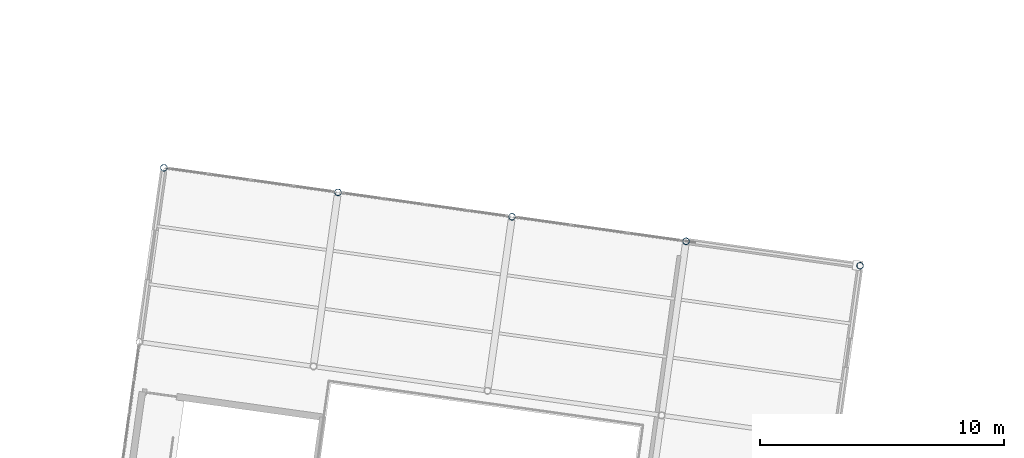
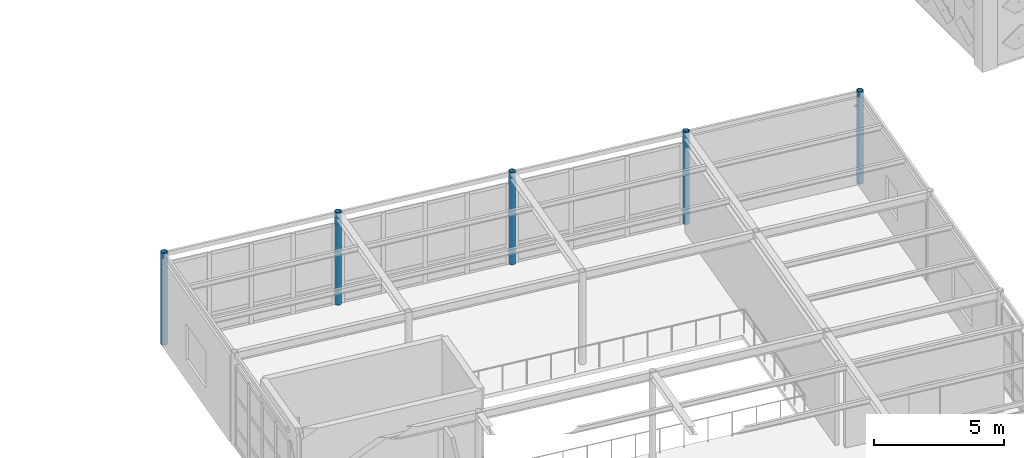
# One storey, part 4 of 67: 5 columns.
"""IFC4 building model written with IfcOpenShell, lengths in metres."""

from ifc_helpers import new_model, si_unit, direction, frame, origin, origin_2d, place, context, subcontext, project, spatial, hollow_circle, extrude, material, material_profile, profile_set, type_object, element, save


model = new_model("IFC4")

# Units and contexts
model_context = context("Model", 3, precision=1e-05, world=origin(), true_north=direction((0.0, 1.0)))
body_context = subcontext(model_context, "Body", "Model", "MODEL_VIEW")
ifc_project = project(units=[si_unit("LENGTHUNIT", "METRE"), si_unit("AREAUNIT", "SQUARE_METRE"), si_unit("VOLUMEUNIT", "CUBIC_METRE"), si_unit("PLANEANGLEUNIT", "RADIAN"), si_unit("MASSUNIT", "GRAM", prefix="KILO")], contexts=[model_context])

# Site, building, storey
site_placement = place(None, origin())
site = spatial("IfcSite", under=ifc_project, at=site_placement, CompositionType="ELEMENT")
building_placement = place(site_placement, origin())
building = spatial("IfcBuilding", under=site, at=building_placement, Name="Kharisveld Research Institute", CompositionType="ELEMENT")
storey_placement = place(building_placement, frame((0.0, 0.0, 9.60009765625)))
storey = spatial("IfcBuildingStorey", under=building, at=storey_placement, Name="L02", CompositionType="ELEMENT", Elevation=9.60009765625)

# Columns
ifc_material = material(Name="Steel S355J2H", Category="steel")
ifc_material_profile = material_profile(ifc_material, hollow_circle(Radius=0.136474609375, WallThickness=0.010009765625, at=origin_2d()))
ifc_profile_set = profile_set([ifc_material_profile], Name="Steel S355J2H")
column_type = type_object("IfcColumnType", Name="COL_ST_CHS273", PredefinedType="COLUMN", material=ifc_profile_set)
for number, where, z_axis, x_axis, name in (
    (1, (78.006103515625, 38.889892578125, 0.0), (0.0, 0.0, 1.0), (0.990268068742, -0.13917310096, 0.0), "COL:V4:L02:U0V3"),
    (2, (85.135986328125, 37.8876953125, 0.0), (0.0, 0.0, 1.0), (0.990268068742, -0.13917310096, 0.0), "COL:V4:L02:U1V3"),
    (3, (92.26611328125, 36.8857421875, 0.0), (0.0, 0.0, 1.0), (0.990268068742, -0.13917310096, 0.0), "COL:V4:L02:U2V3"),
    (4, (99.39599609375, 35.883544921875, 0.0), (0.0, 0.0, 1.0), (0.990268068742, -0.13917310096, 0.0), "COL:V4:L02:U3V3"),
    (5, (106.52587890625, 34.881591796875, 0.0), (0.0, 0.0, 1.0), (0.990268068742, -0.13917310096, 0.0), "COL:V4:L02:U4V3"),
):
    element("IfcColumn", number, at=place(storey_placement, frame(where, z_axis=z_axis, x_axis=x_axis)), inside=storey, type_object=column_type, Name=name, PredefinedType="COLUMN", context=body_context, shape_type="SweptSolid", body=[
        extrude(hollow_circle(Radius=0.136474609375, WallThickness=0.010009765625, at=origin_2d()), origin(), (0.0, 0.0, 1.0), 4.324951171875),
    ])

save(model, "model.ifc")
